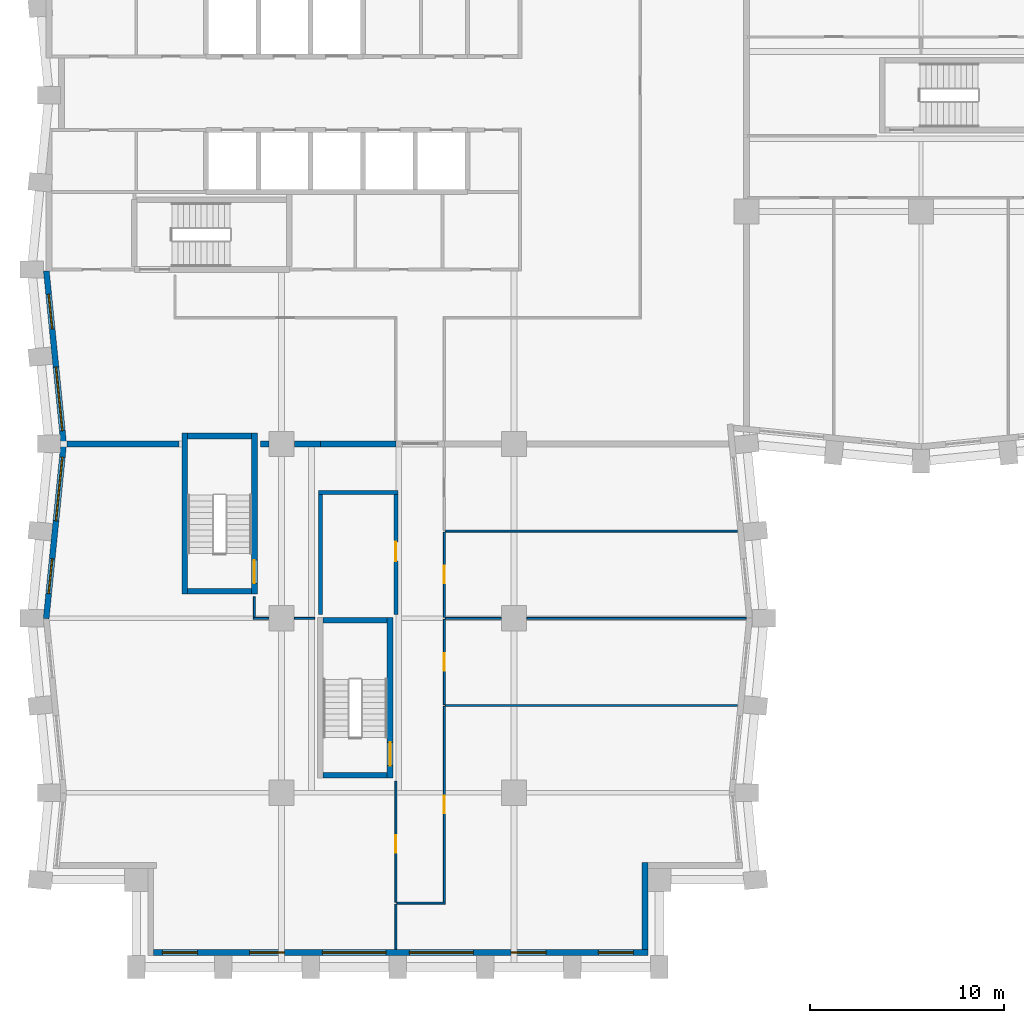
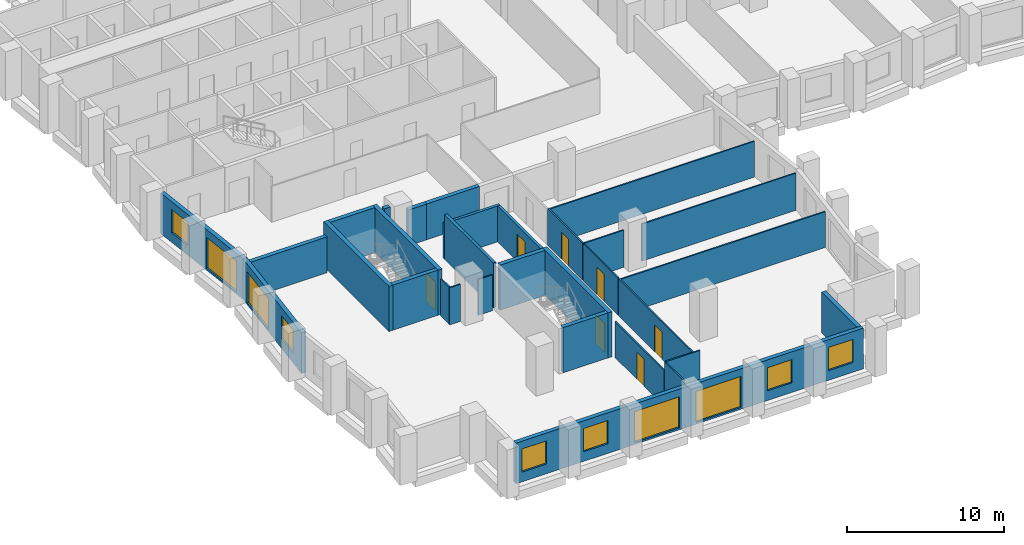
# One storey, part 3 of 11: 31 walls, 10 windows, 7 doors, 17 openings.
"""IFC4 building model written with IfcOpenShell, lengths in metres."""

from ifc_helpers import new_model, si_unit, direction, frame, frame_2d, origin, place, context, subcontext, project, spatial, rectangle, extrude, material, layer, layer_set, type_object, element, fill, save


model = new_model("IFC4")

# Units and contexts
model_context = context("Model", 3, precision=1e-05, world=origin(), true_north=direction((0.0, 1.0)))
body_context = subcontext(model_context, "Body", "Model", "MODEL_VIEW")
ifc_project = project(units=[si_unit("LENGTHUNIT", "METRE"), si_unit("AREAUNIT", "SQUARE_METRE"), si_unit("VOLUMEUNIT", "CUBIC_METRE"), si_unit("PLANEANGLEUNIT", "RADIAN"), si_unit("MASSUNIT", "GRAM", prefix="KILO")], contexts=[model_context])

# Site, building, storey
site_placement = place(None, origin())
site = spatial("IfcSite", under=ifc_project, at=site_placement, CompositionType="ELEMENT")
building_placement = place(site_placement, origin())
building = spatial("IfcBuilding", under=site, at=building_placement, Name="Brondeck Convention Tower", CompositionType="ELEMENT")
storey_placement = place(building_placement, frame((0.0, 0.0, 122.699951171875)))
storey = spatial("IfcBuildingStorey", under=building, at=storey_placement, Name="L29", CompositionType="ELEMENT", Elevation=122.699951171875)

# Walls
ifc_material_1 = material(Name="Concrete compartment wall C30/37", Category="concrete")
ifc_layer_1 = layer(ifc_material_1, 0.300048828125)
ifc_layer_set_1 = layer_set([ifc_layer_1], Name="Compartment wall 300")
wall_type_1 = type_object("IfcWallType", Name="Compartment wall 300", PredefinedType="PARTITIONING", material=ifc_layer_set_1)
wall_1_placement = place(storey_placement, frame((0.924560546875, 27.0, 0.0), z_axis=(0.0, 0.0, 1.0), x_axis=(1.0, 0.0, 0.0)))
element("IfcWall", 1, at=wall_1_placement, inside=storey, type_object=wall_type_1, Name="FLR-L29-W018", PredefinedType="PARTITIONING", context=body_context, shape_type="SweptSolid", body=[
    extrude(rectangle(XDim=5.775390625, YDim=0.300048828125, at=frame_2d((2.8876953125, 0.0))), origin(), (0.0, 0.0, 1.0), 2.780029296875),
])
wall_2_placement = place(storey_placement, frame((10.89990234375, 27.0, 0.0), z_axis=(0.0, 0.0, 1.0), x_axis=(1.0, 0.0, 0.0)))
element("IfcWall", 2, at=wall_2_placement, inside=storey, type_object=wall_type_1, Name="FLR-L29-W019", PredefinedType="PARTITIONING", context=body_context, shape_type="SweptSolid", body=[
    extrude(rectangle(XDim=0.445068359375, YDim=0.300048828125, at=frame_2d((0.22265625, 0.0))), origin(), (0.0, 0.0, 1.0), 3.47998046875),
])
wall_3_placement = place(storey_placement, frame((12.655029296875, 27.0, 0.0), z_axis=(0.0, 0.0, 1.0), x_axis=(1.0, 0.0, 0.0)))
element("IfcWall", 3, at=wall_3_placement, inside=storey, type_object=wall_type_1, Name="FLR-L29-W020", PredefinedType="PARTITIONING", context=body_context, shape_type="SweptSolid", body=[
    extrude(rectangle(XDim=1.344970703125, YDim=0.300048828125, at=frame_2d((0.67236328125, 0.0))), origin(), (0.0, 0.0, 1.0), 2.780029296875),
])
wall_4_placement = place(storey_placement, frame((14.0, 27.0, 0.0), z_axis=(0.0, 0.0, 1.0), x_axis=(1.0, 0.0, 0.0)))
element("IfcWall", 4, at=wall_4_placement, inside=storey, type_object=wall_type_1, Name="FLR-L29-W021", PredefinedType="PARTITIONING", context=body_context, shape_type="SweptSolid", body=[
    extrude(rectangle(XDim=3.89990234375, YDim=0.300048828125, at=frame_2d((1.949951171875, 0.0))), origin(), (0.0, 0.0, 1.0), 2.780029296875),
])

# Wall, openings, windows
ifc_material_2 = material(Name="Precast concrete C50/60 bronze finish", Category="concrete")
ifc_layer_2 = layer(ifc_material_2, 0.070068359375, Name="Bronze precast facing")
ifc_material_3 = material(Name="Mineral wool")
ifc_layer_3 = layer(ifc_material_3, 0.159912109375, Name="Insulation")
ifc_material_4 = material(Name="Concrete C35/45", Category="concrete")
ifc_layer_4 = layer(ifc_material_4, 0.070068359375, Name="Backing")
ifc_layer_set_2 = layer_set([ifc_layer_2, ifc_layer_3, ifc_layer_4], Name="External infill wall, precast concrete C50/60 bronze facing")
wall_type_2 = type_object("IfcWallType", Name="External infill wall, precast concrete C50/60 bronze facing", PredefinedType="SOLIDWALL", material=ifc_layer_set_2)
wall_5_placement = place(storey_placement, frame((30.89990234375, 0.75, 0.0), z_axis=(0.0, 0.0, 1.0), x_axis=(-1.0, 0.0, 0.0)))
wall_5 = element("IfcWall", 5, at=wall_5_placement, inside=storey, type_object=wall_type_2, Name="ENV-EW-L29-P0-B-S0-01", PredefinedType="SOLIDWALL", context=body_context, shape_type="SweptSolid", body=[
    extrude(rectangle(XDim=25.5, YDim=0.300048828125, at=frame_2d((12.75, 0.0))), origin(), (0.0, 0.0, 1.0), 3.150146484375),
])
opening_1_placement = place(wall_5_placement, frame((0.75, 0.0, 0.75)))
opening_1 = element("IfcOpeningElement", 6, at=opening_1_placement, cuts=wall_5, Name="Opening W10", PredefinedType="OPENING", context=body_context, shape_type="SweptSolid", body=[
    extrude(rectangle(XDim=1.800048828125, YDim=1.800048828125, at=frame_2d((0.89990234375, 0.89990234375))), frame((0.0, 0.159912109375, 0.0), z_axis=(0.0, -1.0, 0.0), x_axis=(1.0, 0.0, 0.0)), (0.0, 0.0, 1.0), 0.320068359375),
])
opening_2_placement = place(wall_5_placement, frame((5.25, 0.0, 0.75)))
opening_2 = element("IfcOpeningElement", 7, at=opening_2_placement, cuts=wall_5, Name="Opening W10", PredefinedType="OPENING", context=body_context, shape_type="SweptSolid", body=[
    extrude(rectangle(XDim=1.800048828125, YDim=1.800048828125, at=frame_2d((0.89990234375, 0.89990234375))), frame((0.0, 0.159912109375, 0.0), z_axis=(0.0, -1.0, 0.0), x_axis=(1.0, 0.0, 0.0)), (0.0, 0.0, 1.0), 0.320068359375),
])
opening_3_placement = place(wall_5_placement, frame((9.0, 0.0, 0.14990234375)))
opening_3 = element("IfcOpeningElement", 8, at=opening_3_placement, cuts=wall_5, Name="Opening W9", PredefinedType="OPENING", context=body_context, shape_type="SweptSolid", body=[
    extrude(rectangle(XDim=3.300048828125, YDim=2.39990234375, at=frame_2d((1.64990234375, 1.199951171875))), frame((0.0, 0.159912109375, 0.0), z_axis=(0.0, -1.0, 0.0), x_axis=(1.0, 0.0, 0.0)), (0.0, 0.0, 1.0), 0.320068359375),
])
opening_4_placement = place(wall_5_placement, frame((13.5, 0.0, 0.14990234375)))
opening_4 = element("IfcOpeningElement", 9, at=opening_4_placement, cuts=wall_5, Name="Opening W9", PredefinedType="OPENING", context=body_context, shape_type="SweptSolid", body=[
    extrude(rectangle(XDim=3.300048828125, YDim=2.39990234375, at=frame_2d((1.64990234375, 1.199951171875))), frame((0.0, 0.159912109375, 0.0), z_axis=(0.0, -1.0, 0.0), x_axis=(1.0, 0.0, 0.0)), (0.0, 0.0, 1.0), 0.320068359375),
])
opening_5_placement = place(wall_5_placement, frame((18.75, 0.0, 0.75)))
opening_5 = element("IfcOpeningElement", 10, at=opening_5_placement, cuts=wall_5, Name="Opening W10", PredefinedType="OPENING", context=body_context, shape_type="SweptSolid", body=[
    extrude(rectangle(XDim=1.800048828125, YDim=1.800048828125, at=frame_2d((0.89990234375, 0.89990234375))), frame((0.0, 0.159912109375, 0.0), z_axis=(0.0, -1.0, 0.0), x_axis=(1.0, 0.0, 0.0)), (0.0, 0.0, 1.0), 0.320068359375),
])
opening_6_placement = place(wall_5_placement, frame((23.25, 0.0, 0.75)))
opening_6 = element("IfcOpeningElement", 11, at=opening_6_placement, cuts=wall_5, Name="Opening W10", PredefinedType="OPENING", context=body_context, shape_type="SweptSolid", body=[
    extrude(rectangle(XDim=1.800048828125, YDim=1.800048828125, at=frame_2d((0.89990234375, 0.89990234375))), frame((0.0, 0.159912109375, 0.0), z_axis=(0.0, -1.0, 0.0), x_axis=(1.0, 0.0, 0.0)), (0.0, 0.0, 1.0), 0.320068359375),
])
ifc_material_5 = material(Name="Bronze tinted double glazing", Category="glass")
window_type_1 = type_object("IfcWindowType", Name="Glazed flute window, bronze tinted", PartitioningType="SINGLE_PANEL", PredefinedType="WINDOW", material=ifc_material_5)
window_1_placement = place(opening_3_placement, origin())
window_1 = element("IfcWindow", 12, at=window_1_placement, inside=storey, type_object=window_type_1, Name="ENV-WN-L29-P0-B-S0-04", OverallHeight=2.39990234375, OverallWidth=3.300048828125, PartitioningType="SINGLE_PANEL", PredefinedType="WINDOW", context=body_context, shape_type="SweptSolid", body=[
    extrude(rectangle(XDim=3.300048828125, YDim=2.39990234375, at=frame_2d((1.64990234375, 1.199951171875))), frame((0.0, 0.030029296875, 0.0), z_axis=(0.0, -1.0, 0.0), x_axis=(1.0, 0.0, 0.0)), (0.0, 0.0, 1.0), 0.06005859375),
])
fill(opening_3, window_1)
window_2_placement = place(opening_4_placement, origin())
window_2 = element("IfcWindow", 13, at=window_2_placement, inside=storey, type_object=window_type_1, Name="ENV-WN-L29-P0-B-S0-03", OverallHeight=2.39990234375, OverallWidth=3.300048828125, PartitioningType="SINGLE_PANEL", PredefinedType="WINDOW", context=body_context, shape_type="SweptSolid", body=[
    extrude(rectangle(XDim=3.300048828125, YDim=2.39990234375, at=frame_2d((1.64990234375, 1.199951171875))), frame((0.0, 0.030029296875, 0.0), z_axis=(0.0, -1.0, 0.0), x_axis=(1.0, 0.0, 0.0)), (0.0, 0.0, 1.0), 0.06005859375),
])
fill(opening_4, window_2)
window_type_2 = type_object("IfcWindowType", Name="Punched window, bronze tinted", PartitioningType="SINGLE_PANEL", PredefinedType="WINDOW", material=ifc_material_5)
window_3_placement = place(opening_1_placement, origin())
window_3 = element("IfcWindow", 14, at=window_3_placement, inside=storey, type_object=window_type_2, Name="ENV-WN-L29-P0-B-S0-06", OverallHeight=1.800048828125, OverallWidth=1.800048828125, PartitioningType="SINGLE_PANEL", PredefinedType="WINDOW", context=body_context, shape_type="SweptSolid", body=[
    extrude(rectangle(XDim=1.800048828125, YDim=1.800048828125, at=frame_2d((0.89990234375, 0.89990234375))), frame((0.0, 0.030029296875, 0.0), z_axis=(0.0, -1.0, 0.0), x_axis=(1.0, 0.0, 0.0)), (0.0, 0.0, 1.0), 0.06005859375),
])
fill(opening_1, window_3)
window_4_placement = place(opening_2_placement, origin())
window_4 = element("IfcWindow", 15, at=window_4_placement, inside=storey, type_object=window_type_2, Name="ENV-WN-L29-P0-B-S0-05", OverallHeight=1.800048828125, OverallWidth=1.800048828125, PartitioningType="SINGLE_PANEL", PredefinedType="WINDOW", context=body_context, shape_type="SweptSolid", body=[
    extrude(rectangle(XDim=1.800048828125, YDim=1.800048828125, at=frame_2d((0.89990234375, 0.89990234375))), frame((0.0, 0.030029296875, 0.0), z_axis=(0.0, -1.0, 0.0), x_axis=(1.0, 0.0, 0.0)), (0.0, 0.0, 1.0), 0.06005859375),
])
fill(opening_2, window_4)
window_5_placement = place(opening_5_placement, origin())
window_5 = element("IfcWindow", 16, at=window_5_placement, inside=storey, type_object=window_type_2, Name="ENV-WN-L29-P0-B-S0-02", OverallHeight=1.800048828125, OverallWidth=1.800048828125, PartitioningType="SINGLE_PANEL", PredefinedType="WINDOW", context=body_context, shape_type="SweptSolid", body=[
    extrude(rectangle(XDim=1.800048828125, YDim=1.800048828125, at=frame_2d((0.89990234375, 0.89990234375))), frame((0.0, 0.030029296875, 0.0), z_axis=(0.0, -1.0, 0.0), x_axis=(1.0, 0.0, 0.0)), (0.0, 0.0, 1.0), 0.06005859375),
])
fill(opening_5, window_5)
window_6_placement = place(opening_6_placement, origin())
window_6 = element("IfcWindow", 17, at=window_6_placement, inside=storey, type_object=window_type_2, Name="ENV-WN-L29-P0-B-S0-01", OverallHeight=1.800048828125, OverallWidth=1.800048828125, PartitioningType="SINGLE_PANEL", PredefinedType="WINDOW", context=body_context, shape_type="SweptSolid", body=[
    extrude(rectangle(XDim=1.800048828125, YDim=1.800048828125, at=frame_2d((0.89990234375, 0.89990234375))), frame((0.0, 0.030029296875, 0.0), z_axis=(0.0, -1.0, 0.0), x_axis=(1.0, 0.0, 0.0)), (0.0, 0.0, 1.0), 0.06005859375),
])
fill(opening_6, window_6)

# Wall
wall_6_placement = place(storey_placement, frame((30.75, 5.39990234375, 0.0), z_axis=(0.0, 0.0, 1.0), x_axis=(0.0, -1.0, 0.0)))
element("IfcWall", 18, at=wall_6_placement, inside=storey, type_object=wall_type_2, Name="ENV-EW-L29-P0-NC-SEB0-01", PredefinedType="SOLIDWALL", context=body_context, shape_type="SweptSolid", body=[
    extrude(rectangle(XDim=4.501953125, YDim=0.300048828125, at=frame_2d((2.2509765625, 0.0))), origin(), (0.0, 0.0, 1.0), 3.150146484375),
])

# Wall, openings, windows
wall_7_placement = place(storey_placement, frame((0.755126953125, 26.985107421875, 0.0), z_axis=(0.0, 0.0, 1.0), x_axis=(-0.099479505633, 0.995039611251, 0.0)))
wall_7 = element("IfcWall", 19, at=wall_7_placement, inside=storey, type_object=wall_type_2, Name="ENV-EW-L29-P0-B-W-06", PredefinedType="SOLIDWALL", context=body_context, shape_type="SweptSolid", body=[
    extrude(rectangle(XDim=8.98486328125, YDim=0.300048828125, at=frame_2d((4.492431640625, 0.0))), origin(), (0.0, 0.0, 1.0), 3.150146484375),
])
opening_7_placement = place(wall_7_placement, frame((0.701171875, 0.0, 0.14990234375)))
opening_7 = element("IfcOpeningElement", 20, at=opening_7_placement, cuts=wall_7, Name="Opening W9", PredefinedType="OPENING", context=body_context, shape_type="SweptSolid", body=[
    extrude(rectangle(XDim=3.300048828125, YDim=2.39990234375, at=frame_2d((1.64990234375, 1.199951171875))), frame((0.0, 0.159912109375, 0.0), z_axis=(0.0, -1.0, 0.0), x_axis=(1.0, 0.0, 0.0)), (0.0, 0.0, 1.0), 0.320068359375),
])
opening_8_placement = place(wall_7_placement, frame((5.9736328125, 0.0, 0.75)))
opening_8 = element("IfcOpeningElement", 21, at=opening_8_placement, cuts=wall_7, Name="Opening W10", PredefinedType="OPENING", context=body_context, shape_type="SweptSolid", body=[
    extrude(rectangle(XDim=1.800048828125, YDim=1.800048828125, at=frame_2d((0.89990234375, 0.89990234375))), frame((0.0, 0.159912109375, 0.0), z_axis=(0.0, -1.0, 0.0), x_axis=(1.0, 0.0, 0.0)), (0.0, 0.0, 1.0), 0.320068359375),
])
window_7_placement = place(opening_7_placement, origin())
window_7 = element("IfcWindow", 22, at=window_7_placement, inside=storey, type_object=window_type_1, Name="ENV-WN-L29-P0-B-W-07", OverallHeight=2.39990234375, OverallWidth=3.300048828125, PartitioningType="SINGLE_PANEL", PredefinedType="WINDOW", context=body_context, shape_type="SweptSolid", body=[
    extrude(rectangle(XDim=3.300048828125, YDim=2.39990234375, at=frame_2d((1.64990234375, 1.199951171875))), frame((0.0, 0.030029296875, 0.0), z_axis=(0.0, -1.0, 0.0), x_axis=(1.0, 0.0, 0.0)), (0.0, 0.0, 1.0), 0.06005859375),
])
fill(opening_7, window_7)
window_8_placement = place(opening_8_placement, origin())
window_8 = element("IfcWindow", 23, at=window_8_placement, inside=storey, type_object=window_type_2, Name="ENV-WN-L29-P0-B-W-06", OverallHeight=1.800048828125, OverallWidth=1.800048828125, PartitioningType="SINGLE_PANEL", PredefinedType="WINDOW", context=body_context, shape_type="SweptSolid", body=[
    extrude(rectangle(XDim=1.800048828125, YDim=1.800048828125, at=frame_2d((0.89990234375, 0.89990234375))), frame((0.0, 0.030029296875, 0.0), z_axis=(0.0, -1.0, 0.0), x_axis=(1.0, 0.0, 0.0)), (0.0, 0.0, 1.0), 0.06005859375),
])
fill(opening_8, window_8)

wall_8_placement = place(storey_placement, frame((-0.147705078125, 17.985107421875, 0.0), z_axis=(0.0, 0.0, 1.0), x_axis=(0.099495688264, 0.995037993253, 0.0)))
wall_8 = element("IfcWall", 24, at=wall_8_placement, inside=storey, type_object=wall_type_2, Name="ENV-EW-L29-P0-B-W-08", PredefinedType="SOLIDWALL", context=body_context, shape_type="SweptSolid", body=[
    extrude(rectangle(XDim=9.030029296875, YDim=0.300048828125, at=frame_2d((4.51513671875, 0.0))), origin(), (0.0, 0.0, 1.0), 3.150146484375),
])
opening_9_placement = place(wall_8_placement, frame((1.30126953125, 0.0, 0.75)))
opening_9 = element("IfcOpeningElement", 25, at=opening_9_placement, cuts=wall_8, Name="Opening W10", PredefinedType="OPENING", context=body_context, shape_type="SweptSolid", body=[
    extrude(rectangle(XDim=1.800048828125, YDim=1.800048828125, at=frame_2d((0.89990234375, 0.89990234375))), frame((0.0, 0.159912109375, 0.0), z_axis=(0.0, -1.0, 0.0), x_axis=(1.0, 0.0, 0.0)), (0.0, 0.0, 1.0), 0.320068359375),
])
opening_10_placement = place(wall_8_placement, frame((5.073486328125, 0.0, 0.14990234375)))
opening_10 = element("IfcOpeningElement", 26, at=opening_10_placement, cuts=wall_8, Name="Opening W9", PredefinedType="OPENING", context=body_context, shape_type="SweptSolid", body=[
    extrude(rectangle(XDim=3.300048828125, YDim=2.39990234375, at=frame_2d((1.64990234375, 1.199951171875))), frame((0.0, 0.159912109375, 0.0), z_axis=(0.0, -1.0, 0.0), x_axis=(1.0, 0.0, 0.0)), (0.0, 0.0, 1.0), 0.320068359375),
])
window_9_placement = place(opening_10_placement, origin())
window_9 = element("IfcWindow", 27, at=window_9_placement, inside=storey, type_object=window_type_1, Name="ENV-WN-L29-P0-B-W-08", OverallHeight=2.39990234375, OverallWidth=3.300048828125, PartitioningType="SINGLE_PANEL", PredefinedType="WINDOW", context=body_context, shape_type="SweptSolid", body=[
    extrude(rectangle(XDim=3.300048828125, YDim=2.39990234375, at=frame_2d((1.64990234375, 1.199951171875))), frame((0.0, 0.030029296875, 0.0), z_axis=(0.0, -1.0, 0.0), x_axis=(1.0, 0.0, 0.0)), (0.0, 0.0, 1.0), 0.06005859375),
])
fill(opening_10, window_9)
window_10_placement = place(opening_9_placement, origin())
window_10 = element("IfcWindow", 28, at=window_10_placement, inside=storey, type_object=window_type_2, Name="ENV-WN-L29-P0-B-W-09", OverallHeight=1.800048828125, OverallWidth=1.800048828125, PartitioningType="SINGLE_PANEL", PredefinedType="WINDOW", context=body_context, shape_type="SweptSolid", body=[
    extrude(rectangle(XDim=1.800048828125, YDim=1.800048828125, at=frame_2d((0.89990234375, 0.89990234375))), frame((0.0, 0.030029296875, 0.0), z_axis=(0.0, -1.0, 0.0), x_axis=(1.0, 0.0, 0.0)), (0.0, 0.0, 1.0), 0.06005859375),
])
fill(opening_9, window_10)

# Wall, opening, door
ifc_material_6 = material(Name="Concrete block wall C16/20", Category="concrete")
ifc_layer_5 = layer(ifc_material_6, 0.199951171875)
ifc_layer_set_3 = layer_set([ifc_layer_5], Name="Plant room wall 200")
wall_type_3 = type_object("IfcWallType", Name="Plant room wall 200", PredefinedType="PARTITIONING", material=ifc_layer_set_3)
wall_9_placement = place(storey_placement, frame((17.89990234375, 18.199951171875, 0.0), z_axis=(0.0, 0.0, 1.0), x_axis=(0.0, 1.0, 0.0)))
wall_9 = element("IfcWall", 29, at=wall_9_placement, inside=storey, type_object=wall_type_3, Name="FLR-L29-W012", PredefinedType="PARTITIONING", context=body_context, shape_type="SweptSolid", body=[
    extrude(rectangle(XDim=6.199951171875, YDim=0.199951171875, at=frame_2d((3.10009765625, 0.0))), origin(), (0.0, 0.0, 1.0), 2.780029296875),
])
opening_11_placement = place(wall_9_placement, frame((2.75, 0.0, 0.0)))
opening_11 = element("IfcOpeningElement", 30, at=opening_11_placement, cuts=wall_9, Name="Opening OF-D-001", PredefinedType="OPENING", context=body_context, shape_type="SweptSolid", body=[
    extrude(rectangle(XDim=1.0, YDim=2.10009765625, at=frame_2d((0.5, 1.050048828125))), frame((0.0, 0.10986328125, 0.0), z_axis=(0.0, -1.0, 0.0), x_axis=(1.0, 0.0, 0.0)), (0.0, 0.0, 1.0), 0.219970703125),
])
ifc_material_7 = material(Name="Steel fire door leaf", Category="steel")
door_type_1 = type_object("IfcDoorType", Name="Plant room door 1000", OperationType="NOTDEFINED", PredefinedType="DOOR", material=ifc_material_7)
door_1_placement = place(opening_11_placement, origin())
door_1 = element("IfcDoor", 31, at=door_1_placement, inside=storey, type_object=door_type_1, Name="Door OF-D-001", OperationType="SINGLE_SWING_LEFT", OverallHeight=2.10009765625, OverallWidth=1.0, PredefinedType="DOOR", context=body_context, shape_type="SweptSolid", body=[
    extrude(rectangle(XDim=1.0, YDim=2.10009765625, at=frame_2d((0.5, 1.050048828125))), frame((0.0, 0.02490234375, 0.0), z_axis=(0.0, -1.0, 0.0), x_axis=(1.0, 0.0, 0.0)), (0.0, 0.0, 1.0), 0.050048828125),
])
fill(opening_11, door_1)

# Walls
wall_10_placement = place(storey_placement, frame((14.0, 24.39990234375, 0.0), z_axis=(0.0, 0.0, 1.0), x_axis=(0.0, -1.0, 0.0)))
element("IfcWall", 32, at=wall_10_placement, inside=storey, type_object=wall_type_3, Name="FLR-L29-W015", PredefinedType="PARTITIONING", context=body_context, shape_type="SweptSolid", body=[
    extrude(rectangle(XDim=6.199951171875, YDim=0.199951171875, at=frame_2d((3.10009765625, 0.0))), origin(), (0.0, 0.0, 1.0), 3.47998046875),
])
wall_11_placement = place(storey_placement, frame((18.0, 24.5, 0.0), z_axis=(0.0, 0.0, 1.0), x_axis=(-1.0, 0.0, 0.0)))
element("IfcWall", 33, at=wall_11_placement, inside=storey, type_object=wall_type_3, Name="FLR-L29-W016", PredefinedType="PARTITIONING", context=body_context, shape_type="SweptSolid", body=[
    extrude(rectangle(XDim=4.10009765625, YDim=0.199951171875, at=frame_2d((2.050048828125, 0.0))), origin(), (0.0, 0.0, 1.0), 2.780029296875),
])
ifc_material_8 = material(Name="Gypsum board partition on steel studs", Category="steel")
ifc_layer_6 = layer(ifc_material_8, 0.10009765625)
ifc_layer_set_4 = layer_set([ifc_layer_6], Name="Room partition 100")
wall_type_4 = type_object("IfcWallType", Name="Room partition 100", PredefinedType="PARTITIONING", material=ifc_layer_set_4)
wall_12_placement = place(storey_placement, frame((17.89990234375, 0.919921875, 0.0), z_axis=(0.0, 0.0, 1.0), x_axis=(0.0, 1.0, 0.0)))
element("IfcWall", 34, at=wall_12_placement, inside=storey, type_object=wall_type_4, Name="FLR-L29-W001", PredefinedType="PARTITIONING", context=body_context, shape_type="SweptSolid", body=[
    extrude(rectangle(XDim=2.330078125, YDim=0.10009765625, at=frame_2d((1.1650390625, 0.0))), origin(), (0.0, 0.0, 1.0), 3.47998046875),
])
wall_13_placement = place(storey_placement, frame((20.449951171875, 3.300048828125, 0.0), z_axis=(0.0, 0.0, 1.0), x_axis=(-1.0, 0.0, 0.0)))
element("IfcWall", 35, at=wall_13_placement, inside=storey, type_object=wall_type_4, Name="FLR-L29-W002", PredefinedType="PARTITIONING", context=body_context, shape_type="SweptSolid", body=[
    extrude(rectangle(XDim=2.5, YDim=0.10009765625, at=frame_2d((1.25, 0.0))), origin(), (0.0, 0.0, 1.0), 3.47998046875),
])

# Wall, opening, door
wall_14_placement = place(storey_placement, frame((17.89990234375, 3.35009765625, 0.0), z_axis=(0.0, 0.0, 1.0), x_axis=(0.0, 1.0, 0.0)))
wall_14 = element("IfcWall", 36, at=wall_14_placement, inside=storey, type_object=wall_type_4, Name="FLR-L29-W003", PredefinedType="PARTITIONING", context=body_context, shape_type="SweptSolid", body=[
    extrude(rectangle(XDim=6.25, YDim=0.10009765625, at=frame_2d((3.125, 0.0))), origin(), (0.0, 0.0, 1.0), 2.780029296875),
])
opening_12_placement = place(wall_14_placement, frame((2.550048828125, 0.0, 0.0)))
opening_12 = element("IfcOpeningElement", 37, at=opening_12_placement, cuts=wall_14, Name="Opening OF-D-022", PredefinedType="OPENING", context=body_context, shape_type="SweptSolid", body=[
    extrude(rectangle(XDim=0.89990234375, YDim=2.10009765625, at=frame_2d((0.449951171875, 1.050048828125))), frame((0.0, 0.06005859375, 0.0), z_axis=(0.0, -1.0, 0.0), x_axis=(1.0, 0.0, 0.0)), (0.0, 0.0, 1.0), 0.1201171875),
])
ifc_material_9 = material(Name="Solid timber door leaf", Category="wood")
door_type_2 = type_object("IfcDoorType", Name="Single door 900", OperationType="NOTDEFINED", PredefinedType="DOOR", material=ifc_material_9)
door_2_placement = place(opening_12_placement, origin())
door_2 = element("IfcDoor", 38, at=door_2_placement, inside=storey, type_object=door_type_2, Name="Door OF-D-022", OperationType="SINGLE_SWING_LEFT", OverallHeight=2.10009765625, OverallWidth=0.89990234375, PredefinedType="DOOR", context=body_context, shape_type="SweptSolid", body=[
    extrude(rectangle(XDim=0.89990234375, YDim=2.10009765625, at=frame_2d((0.449951171875, 1.050048828125))), frame((0.0, 0.02490234375, 0.0), z_axis=(0.0, -1.0, 0.0), x_axis=(1.0, 0.0, 0.0)), (0.0, 0.0, 1.0), 0.050048828125),
])
fill(opening_12, door_2)

wall_15_placement = place(storey_placement, frame((20.39990234375, 13.449951171875, 0.0), z_axis=(0.0, 0.0, 1.0), x_axis=(0.0, -1.0, 0.0)))
wall_15 = element("IfcWall", 39, at=wall_15_placement, inside=storey, type_object=wall_type_4, Name="FLR-L29-W004", PredefinedType="PARTITIONING", context=body_context, shape_type="SweptSolid", body=[
    extrude(rectangle(XDim=10.099853515625, YDim=0.10009765625, at=frame_2d((5.0498046875, 0.0))), origin(), (0.0, 0.0, 1.0), 2.880126953125),
])
opening_13_placement = place(wall_15_placement, frame((4.60009765625, 0.0, 0.0)))
opening_13 = element("IfcOpeningElement", 40, at=opening_13_placement, cuts=wall_15, Name="Opening OF-D-021", PredefinedType="OPENING", context=body_context, shape_type="SweptSolid", body=[
    extrude(rectangle(XDim=0.89990234375, YDim=2.10009765625, at=frame_2d((0.449951171875, 1.050048828125))), frame((0.0, 0.06005859375, 0.0), z_axis=(0.0, -1.0, 0.0), x_axis=(1.0, 0.0, 0.0)), (0.0, 0.0, 1.0), 0.1201171875),
])
door_3_placement = place(opening_13_placement, origin())
door_3 = element("IfcDoor", 41, at=door_3_placement, inside=storey, type_object=door_type_2, Name="Door OF-D-021", OperationType="SINGLE_SWING_LEFT", OverallHeight=2.10009765625, OverallWidth=0.89990234375, PredefinedType="DOOR", context=body_context, shape_type="SweptSolid", body=[
    extrude(rectangle(XDim=0.89990234375, YDim=2.10009765625, at=frame_2d((0.449951171875, 1.050048828125))), frame((0.0, 0.02490234375, 0.0), z_axis=(0.0, -1.0, 0.0), x_axis=(1.0, 0.0, 0.0)), (0.0, 0.0, 1.0), 0.050048828125),
])
fill(opening_13, door_3)

# Wall
wall_16_placement = place(storey_placement, frame((35.525390625, 13.5, 0.0), z_axis=(0.0, 0.0, 1.0), x_axis=(-1.0, 0.0, 0.0)))
element("IfcWall", 42, at=wall_16_placement, inside=storey, type_object=wall_type_4, Name="FLR-L29-W005", PredefinedType="PARTITIONING", context=body_context, shape_type="SweptSolid", body=[
    extrude(rectangle(XDim=15.075439453125, YDim=0.10009765625, at=frame_2d((7.53759765625, 0.0))), origin(), (0.0, 0.0, 1.0), 2.780029296875),
])

# Wall, opening, door
wall_17_placement = place(storey_placement, frame((20.39990234375, 17.949951171875, 0.0), z_axis=(0.0, 0.0, 1.0), x_axis=(0.0, -1.0, 0.0)))
wall_17 = element("IfcWall", 43, at=wall_17_placement, inside=storey, type_object=wall_type_4, Name="FLR-L29-W006", PredefinedType="PARTITIONING", context=body_context, shape_type="SweptSolid", body=[
    extrude(rectangle(XDim=4.39990234375, YDim=0.10009765625, at=frame_2d((2.199951171875, 0.0))), origin(), (0.0, 0.0, 1.0), 2.880126953125),
])
opening_14_placement = place(wall_17_placement, frame((1.75, 0.0, 0.0)))
opening_14 = element("IfcOpeningElement", 44, at=opening_14_placement, cuts=wall_17, Name="Opening OF-D-020", PredefinedType="OPENING", context=body_context, shape_type="SweptSolid", body=[
    extrude(rectangle(XDim=0.89990234375, YDim=2.10009765625, at=frame_2d((0.449951171875, 1.050048828125))), frame((0.0, 0.06005859375, 0.0), z_axis=(0.0, -1.0, 0.0), x_axis=(1.0, 0.0, 0.0)), (0.0, 0.0, 1.0), 0.1201171875),
])
door_4_placement = place(opening_14_placement, origin())
door_4 = element("IfcDoor", 45, at=door_4_placement, inside=storey, type_object=door_type_2, Name="Door OF-D-020", OperationType="SINGLE_SWING_LEFT", OverallHeight=2.10009765625, OverallWidth=0.89990234375, PredefinedType="DOOR", context=body_context, shape_type="SweptSolid", body=[
    extrude(rectangle(XDim=0.89990234375, YDim=2.10009765625, at=frame_2d((0.449951171875, 1.050048828125))), frame((0.0, 0.02490234375, 0.0), z_axis=(0.0, -1.0, 0.0), x_axis=(1.0, 0.0, 0.0)), (0.0, 0.0, 1.0), 0.050048828125),
])
fill(opening_14, door_4)

# Walls
wall_18_placement = place(storey_placement, frame((11.344970703125, 18.0, 0.0), z_axis=(0.0, 0.0, 1.0), x_axis=(-1.0, 0.0, 0.0)))
element("IfcWall", 46, at=wall_18_placement, inside=storey, type_object=wall_type_4, Name="FLR-L29-W007", PredefinedType="PARTITIONING", context=body_context, shape_type="SweptSolid", body=[
    extrude(rectangle(XDim=0.794921875, YDim=0.10009765625, at=frame_2d((0.3974609375, 0.0))), origin(), (0.0, 0.0, 1.0), 2.880126953125),
])
wall_19_placement = place(storey_placement, frame((13.699951171875, 18.0, 0.0), z_axis=(0.0, 0.0, 1.0), x_axis=(-1.0, 0.0, 0.0)))
element("IfcWall", 47, at=wall_19_placement, inside=storey, type_object=wall_type_4, Name="FLR-L29-W008", PredefinedType="PARTITIONING", context=body_context, shape_type="SweptSolid", body=[
    extrude(rectangle(XDim=1.044921875, YDim=0.10009765625, at=frame_2d((0.5224609375, 0.0))), origin(), (0.0, 0.0, 1.0), 2.780029296875),
])
wall_20_placement = place(storey_placement, frame((23.344970703125, 18.0, 0.0), z_axis=(0.0, 0.0, 1.0), x_axis=(-1.0, 0.0, 0.0)))
element("IfcWall", 48, at=wall_20_placement, inside=storey, type_object=wall_type_4, Name="FLR-L29-W009", PredefinedType="PARTITIONING", context=body_context, shape_type="SweptSolid", body=[
    extrude(rectangle(XDim=2.89501953125, YDim=0.10009765625, at=frame_2d((1.447509765625, 0.0))), origin(), (0.0, 0.0, 1.0), 2.880126953125),
])
wall_21_placement = place(storey_placement, frame((35.9755859375, 18.0, 0.0), z_axis=(0.0, 0.0, 1.0), x_axis=(-1.0, 0.0, 0.0)))
element("IfcWall", 49, at=wall_21_placement, inside=storey, type_object=wall_type_4, Name="FLR-L29-W010", PredefinedType="PARTITIONING", context=body_context, shape_type="SweptSolid", body=[
    extrude(rectangle(XDim=11.320556640625, YDim=0.10009765625, at=frame_2d((5.66015625, 0.0))), origin(), (0.0, 0.0, 1.0), 2.880126953125),
])
wall_22_placement = place(storey_placement, frame((10.60009765625, 18.050048828125, 0.0), z_axis=(0.0, 0.0, 1.0), x_axis=(0.0, 1.0, 0.0)))
element("IfcWall", 50, at=wall_22_placement, inside=storey, type_object=wall_type_4, Name="FLR-L29-W011", PredefinedType="PARTITIONING", context=body_context, shape_type="SweptSolid", body=[
    extrude(rectangle(XDim=1.050048828125, YDim=0.10009765625, at=frame_2d((0.52490234375, 0.0))), origin(), (0.0, 0.0, 1.0), 2.880126953125),
])

# Wall, opening, door
wall_23_placement = place(storey_placement, frame((20.39990234375, 22.449951171875, 0.0), z_axis=(0.0, 0.0, 1.0), x_axis=(0.0, -1.0, 0.0)))
wall_23 = element("IfcWall", 51, at=wall_23_placement, inside=storey, type_object=wall_type_4, Name="FLR-L29-W013", PredefinedType="PARTITIONING", context=body_context, shape_type="SweptSolid", body=[
    extrude(rectangle(XDim=4.39990234375, YDim=0.10009765625, at=frame_2d((2.199951171875, 0.0))), origin(), (0.0, 0.0, 1.0), 2.880126953125),
])
opening_15_placement = place(wall_23_placement, frame((1.75, 0.0, 0.0)))
opening_15 = element("IfcOpeningElement", 52, at=opening_15_placement, cuts=wall_23, Name="Opening OF-D-019", PredefinedType="OPENING", context=body_context, shape_type="SweptSolid", body=[
    extrude(rectangle(XDim=0.89990234375, YDim=2.10009765625, at=frame_2d((0.449951171875, 1.050048828125))), frame((0.0, 0.06005859375, 0.0), z_axis=(0.0, -1.0, 0.0), x_axis=(1.0, 0.0, 0.0)), (0.0, 0.0, 1.0), 0.1201171875),
])
door_5_placement = place(opening_15_placement, origin())
door_5 = element("IfcDoor", 53, at=door_5_placement, inside=storey, type_object=door_type_2, Name="Door OF-D-019", OperationType="SINGLE_SWING_RIGHT", OverallHeight=2.10009765625, OverallWidth=0.89990234375, PredefinedType="DOOR", context=body_context, shape_type="SweptSolid", body=[
    extrude(rectangle(XDim=0.89990234375, YDim=2.10009765625, at=frame_2d((0.449951171875, 1.050048828125))), frame((0.0, 0.02490234375, 0.0), z_axis=(0.0, -1.0, 0.0), x_axis=(1.0, 0.0, 0.0)), (0.0, 0.0, 1.0), 0.050048828125),
])
fill(opening_15, door_5)

# Walls
wall_24_placement = place(storey_placement, frame((35.525390625, 22.5, 0.0), z_axis=(0.0, 0.0, 1.0), x_axis=(-1.0, 0.0, 0.0)))
element("IfcWall", 54, at=wall_24_placement, inside=storey, type_object=wall_type_4, Name="FLR-L29-W014", PredefinedType="PARTITIONING", context=body_context, shape_type="SweptSolid", body=[
    extrude(rectangle(XDim=15.075439453125, YDim=0.10009765625, at=frame_2d((7.53759765625, 0.0))), origin(), (0.0, 0.0, 1.0), 2.780029296875),
])
ifc_material_10 = material(Name="Concrete C70/85", Category="concrete")
ifc_layer_7 = layer(ifc_material_10, 0.300048828125)
ifc_layer_set_5 = layer_set([ifc_layer_7], Name="Stair enclosure wall 300 Concrete C70/85")
wall_type_5 = type_object("IfcWallType", Name="Stair enclosure wall 300 Concrete C70/85", PredefinedType="SHEAR", material=ifc_layer_set_5)
for number, where, z_axis, x_axis, name in (
    (55, (14.14990234375, 9.89990234375, 0.0), (0.0, 0.0, 1.0), (1.0, 0.0, 0.0), "L29 core wall"),
    (56, (14.14990234375, 17.89990234375, 0.0), (0.0, 0.0, 1.0), (1.0, 0.0, 0.0), "L29 core wall"),
    (57, (7.14990234375, 19.39990234375, 0.0), (0.0, 0.0, 1.0), (1.0, 0.0, 0.0), "L29 core wall"),
    (58, (7.14990234375, 27.39990234375, 0.0), (0.0, 0.0, 1.0), (1.0, 0.0, 0.0), "L29 core wall"),
):
    element("IfcWall", number, at=place(storey_placement, frame(where, z_axis=z_axis, x_axis=x_axis)), inside=storey, type_object=wall_type_5, Name=name, PredefinedType="SHEAR", context=body_context, shape_type="SweptSolid", body=[
        extrude(rectangle(XDim=3.300048828125, YDim=0.300048828125, at=frame_2d((1.64990234375, 0.0))), origin(), (0.0, 0.0, 1.0), 3.5),
    ])
wall_25_placement = place(storey_placement, frame((7.0, 19.25, 0.0), z_axis=(0.0, 0.0, 1.0), x_axis=(0.0, 1.0, 0.0)))
element("IfcWall", 59, at=wall_25_placement, inside=storey, type_object=wall_type_5, Name="L29 core wall", PredefinedType="SHEAR", context=body_context, shape_type="SweptSolid", body=[
    extrude(rectangle(XDim=8.300048828125, YDim=0.300048828125, at=frame_2d((4.14990234375, 0.0))), origin(), (0.0, 0.0, 1.0), 3.5),
])

# Wall, opening, door
wall_26_placement = place(storey_placement, frame((10.60009765625, 19.25, 0.0), z_axis=(0.0, 0.0, 1.0), x_axis=(0.0, 1.0, 0.0)))
wall_26 = element("IfcWall", 60, at=wall_26_placement, inside=storey, type_object=wall_type_5, Name="L29 core wall", PredefinedType="SHEAR", context=body_context, shape_type="SweptSolid", body=[
    extrude(rectangle(XDim=8.300048828125, YDim=0.300048828125, at=frame_2d((4.14990234375, 0.0))), origin(), (0.0, 0.0, 1.0), 3.5),
])
opening_16_placement = place(wall_26_placement, frame((0.550048828125, 0.0, 0.0)))
opening_16 = element("IfcOpeningElement", 61, at=opening_16_placement, cuts=wall_26, Name="Opening C17-20", PredefinedType="OPENING", context=body_context, shape_type="SweptSolid", body=[
    extrude(rectangle(XDim=1.199951171875, YDim=2.199951171875, at=frame_2d((0.60009765625, 1.10009765625))), frame((0.0, 0.159912109375, 0.0), z_axis=(0.0, -1.0, 0.0), x_axis=(1.0, 0.0, 0.0)), (0.0, 0.0, 1.0), 0.320068359375),
])
ifc_material_11 = material(Name="Steel fire door", Category="steel")
door_type_3 = type_object("IfcDoorType", Name="Stair door 1200x2200 EI 90", OperationType="NOTDEFINED", PredefinedType="DOOR", material=ifc_material_11)
door_6_placement = place(opening_16_placement, origin())
door_6 = element("IfcDoor", 62, at=door_6_placement, inside=storey, type_object=door_type_3, Name="L29 Stair door ST-BE", OperationType="SINGLE_SWING_RIGHT", OverallHeight=2.199951171875, OverallWidth=1.199951171875, PredefinedType="DOOR", context=body_context, shape_type="SweptSolid", body=[
    extrude(rectangle(XDim=1.199951171875, YDim=2.199951171875, at=frame_2d((0.60009765625, 1.10009765625))), frame((0.0, 0.02490234375, 0.0), z_axis=(0.0, -1.0, 0.0), x_axis=(1.0, 0.0, 0.0)), (0.0, 0.0, 1.0), 0.050048828125),
])
fill(opening_16, door_6)

wall_27_placement = place(storey_placement, frame((17.60009765625, 9.75, 0.0), z_axis=(0.0, 0.0, 1.0), x_axis=(0.0, 1.0, 0.0)))
wall_27 = element("IfcWall", 63, at=wall_27_placement, inside=storey, type_object=wall_type_5, Name="L29 core wall", PredefinedType="SHEAR", context=body_context, shape_type="SweptSolid", body=[
    extrude(rectangle(XDim=8.300048828125, YDim=0.300048828125, at=frame_2d((4.14990234375, 0.0))), origin(), (0.0, 0.0, 1.0), 3.5),
])
opening_17_placement = place(wall_27_placement, frame((0.64990234375, 0.0, 0.0)))
opening_17 = element("IfcOpeningElement", 64, at=opening_17_placement, cuts=wall_27, Name="Opening C17-21", PredefinedType="OPENING", context=body_context, shape_type="SweptSolid", body=[
    extrude(rectangle(XDim=1.199951171875, YDim=2.199951171875, at=frame_2d((0.60009765625, 1.10009765625))), frame((0.0, 0.159912109375, 0.0), z_axis=(0.0, -1.0, 0.0), x_axis=(1.0, 0.0, 0.0)), (0.0, 0.0, 1.0), 0.320068359375),
])
door_7_placement = place(opening_17_placement, origin())
door_7 = element("IfcDoor", 65, at=door_7_placement, inside=storey, type_object=door_type_3, Name="L29 Stair door ST-BF", OperationType="SINGLE_SWING_LEFT", OverallHeight=2.199951171875, OverallWidth=1.199951171875, PredefinedType="DOOR", context=body_context, shape_type="SweptSolid", body=[
    extrude(rectangle(XDim=1.199951171875, YDim=2.199951171875, at=frame_2d((0.60009765625, 1.10009765625))), frame((0.0, 0.02490234375, 0.0), z_axis=(0.0, -1.0, 0.0), x_axis=(1.0, 0.0, 0.0)), (0.0, 0.0, 1.0), 0.050048828125),
])
fill(opening_17, door_7)

save(model, "model.ifc")
